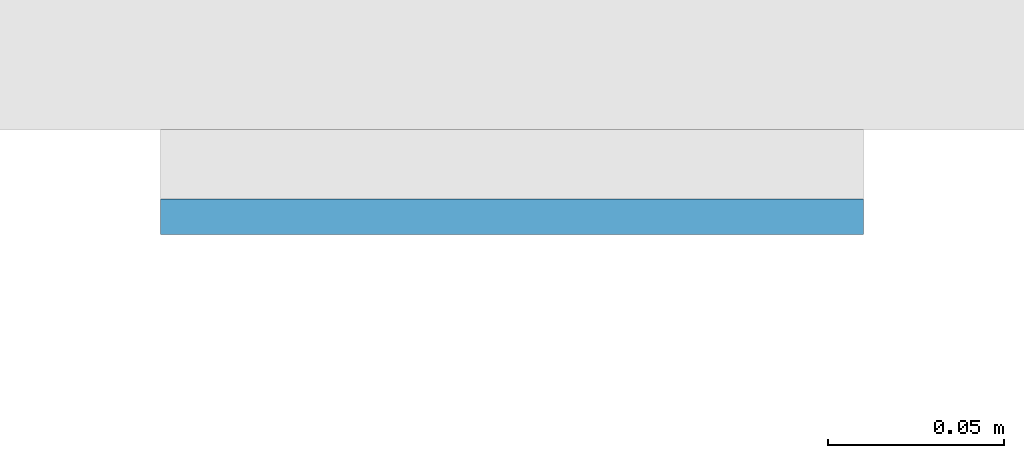
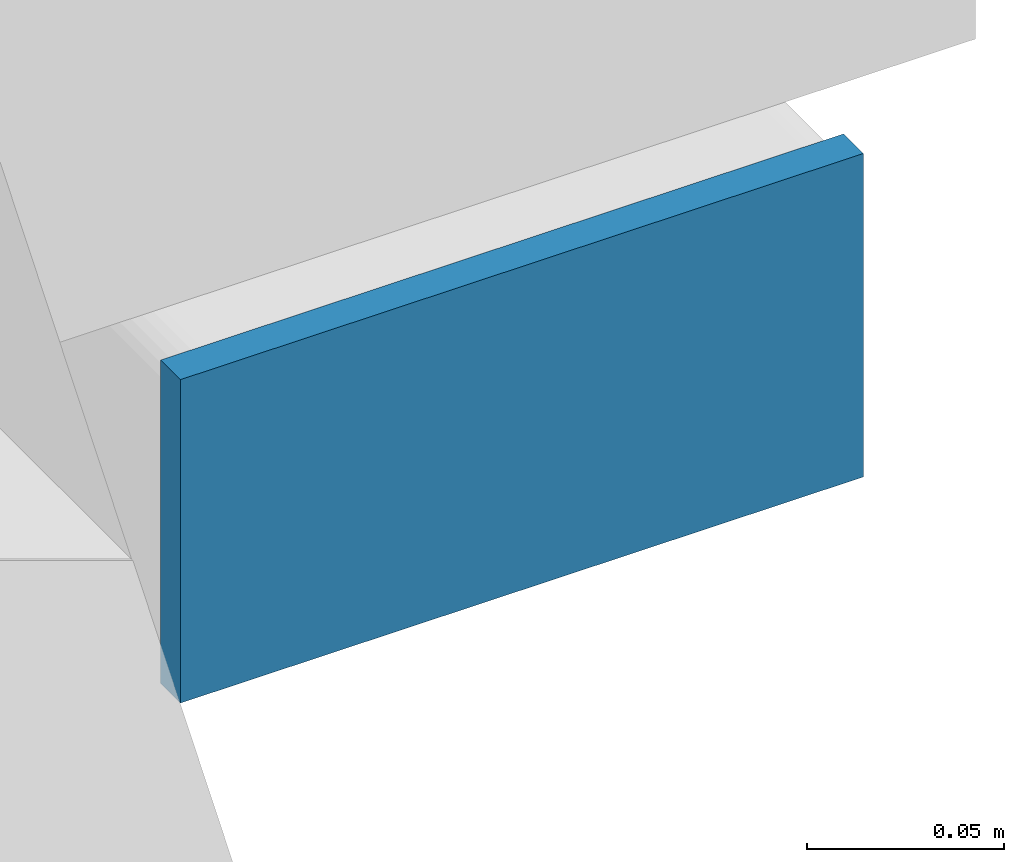
# One storey, part 10 of 20: 1 plate.
"""IFC4 building model written with IfcOpenShell, lengths in metres."""

from ifc_helpers import new_model, si_unit, direction, frame, origin, origin_2d, place, context, subcontext, project, spatial, rectangle, extrude, material, layer, layer_set, type_object, element, save


model = new_model("IFC4")

# Units and contexts
model_context = context("Model", 3, precision=1e-05, world=origin(), true_north=direction((0.0, 1.0)))
body_context = subcontext(model_context, "Body", "Model", "MODEL_VIEW")
ifc_project = project(units=[si_unit("LENGTHUNIT", "METRE"), si_unit("AREAUNIT", "SQUARE_METRE"), si_unit("VOLUMEUNIT", "CUBIC_METRE"), si_unit("PLANEANGLEUNIT", "RADIAN"), si_unit("MASSUNIT", "GRAM", prefix="KILO")], contexts=[model_context])

# Site, building, storey
site_placement = place(None, origin())
site = spatial("IfcSite", under=ifc_project, at=site_placement, CompositionType="ELEMENT")
building_placement = place(site_placement, origin())
building = spatial("IfcBuilding", under=site, at=building_placement, Name="Cleftline Residences", CompositionType="ELEMENT")
storey_placement = place(building_placement, frame((0.0, 0.0, 40.39990234375)))
storey = spatial("IfcBuildingStorey", under=building, at=storey_placement, Name="L09", CompositionType="ELEMENT", Elevation=40.39990234375)

# Plate
ifc_material = material(Name="Steel S355, hot-dip galvanised", Category="steel")
ifc_layer = layer(ifc_material, 0.010009765625)
ifc_layer_set = layer_set([ifc_layer], Name="BAGUETTE CARRIER END PLATE 200X100X10")
plate_type = type_object("IfcPlateType", Name="BAGUETTE CARRIER END PLATE 200X100X10", PredefinedType="USERDEFINED", material=ifc_layer_set)
plate_placement = place(storey_placement, frame((66.85009765625, 3.695068359375, -0.099853515625), z_axis=(0.0, 0.0, 1.0), x_axis=(1.0, 0.0, 0.0)))
element("IfcPlate", 1, at=plate_placement, inside=storey, type_object=plate_type, Name="Baguette carrier end plate", ObjectType="BAGUETTE CARRIER END PLATE", PredefinedType="USERDEFINED", context=body_context, shape_type="SweptSolid", body=[
    extrude(rectangle(XDim=0.199951171875, YDim=0.010009765625, at=origin_2d()), origin(), (0.0, 0.0, 1.0), 0.10009765625),
])

save(model, "model.ifc")
